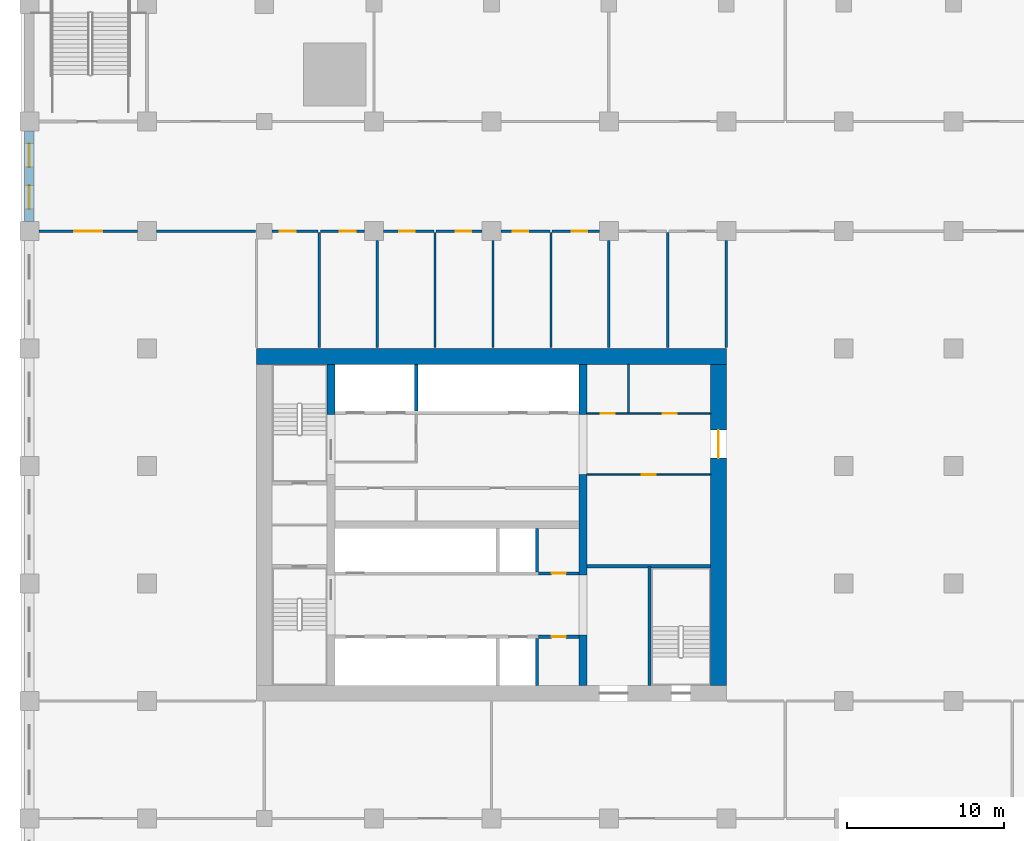
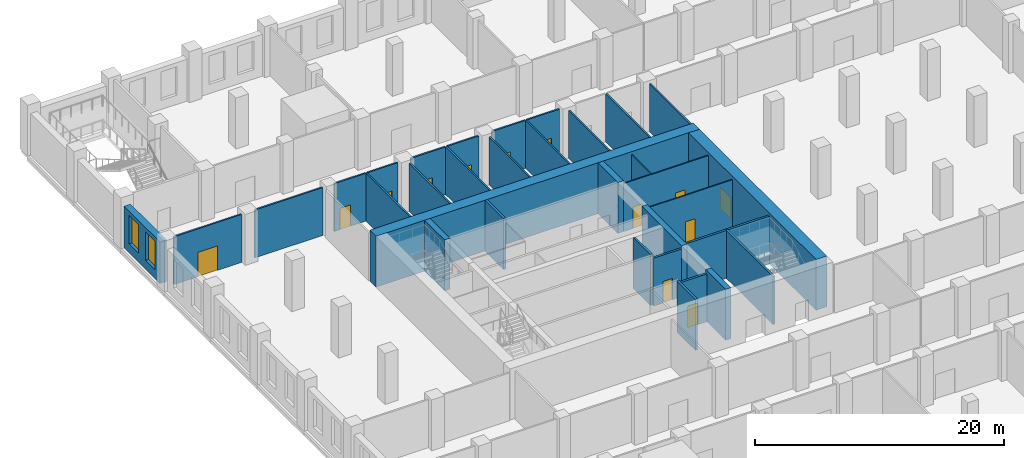
# One storey, part 6 of 32: 33 walls, 13 doors, 2 windows, 15 openings.
"""IFC4 building model written with IfcOpenShell, lengths in metres."""

from ifc_helpers import new_model, si_unit, direction, frame, frame_2d, origin, place, context, subcontext, project, spatial, rectangle, extrude, material, layer, layer_set, type_object, element, fill, save


model = new_model("IFC4")

# Units and contexts
model_context = context("Model", 3, precision=1e-05, world=origin(), true_north=direction((0.0, 1.0)))
body_context = subcontext(model_context, "Body", "Model", "MODEL_VIEW")
ifc_project = project(units=[si_unit("LENGTHUNIT", "METRE"), si_unit("AREAUNIT", "SQUARE_METRE"), si_unit("VOLUMEUNIT", "CUBIC_METRE"), si_unit("PLANEANGLEUNIT", "RADIAN"), si_unit("MASSUNIT", "GRAM", prefix="KILO")], contexts=[model_context])

# Site, building, storey
site_placement = place(None, origin())
site = spatial("IfcSite", under=ifc_project, at=site_placement, CompositionType="ELEMENT")
building_placement = place(site_placement, origin())
building = spatial("IfcBuilding", under=site, at=building_placement, Name="Tamorin Gate", CompositionType="ELEMENT")
storey_placement = place(building_placement, frame((0.0, 0.0, 13.5)))
storey = spatial("IfcBuildingStorey", under=building, at=storey_placement, Name="L02", CompositionType="ELEMENT", Elevation=13.5)

# Walls
ifc_material_1 = material(Name="Concrete C32/40", Category="concrete")
ifc_layer_1 = layer(ifc_material_1, 0.199951171875)
ifc_layer_set_1 = layer_set([ifc_layer_1], Name="Lift shaft wall 200 EI 120")
wall_type_1 = type_object("IfcWallType", Name="Lift shaft wall 200 EI 120", PredefinedType="SOLIDWALL", material=ifc_layer_set_1)
wall_1_placement = place(storey_placement, frame((47.89990234375, 61.0, 0.0), z_axis=(0.0, 0.0, 1.0), x_axis=(0.0, 1.0, 0.0)))
element("IfcWall", 1, at=wall_1_placement, inside=storey, type_object=wall_type_1, Name="Lift shaft wall", PredefinedType="SOLIDWALL", context=body_context, shape_type="SweptSolid", body=[
    extrude(rectangle(XDim=3.0, YDim=0.199951171875, at=frame_2d((1.5, 0.0))), origin(), (0.0, 0.0, 1.0), 5.0),
])
wall_2_placement = place(storey_placement, frame((47.89990234375, 68.25, 0.0), z_axis=(0.0, 0.0, 1.0), x_axis=(0.0, 1.0, 0.0)))
element("IfcWall", 2, at=wall_2_placement, inside=storey, type_object=wall_type_1, Name="Lift shaft wall", PredefinedType="SOLIDWALL", context=body_context, shape_type="SweptSolid", body=[
    extrude(rectangle(XDim=2.75, YDim=0.199951171875, at=frame_2d((1.375, 0.0))), origin(), (0.0, 0.0, 1.0), 5.0),
])
wall_3_placement = place(storey_placement, frame((40.199951171875, 78.5, 0.0), z_axis=(0.0, 0.0, 1.0), x_axis=(0.0, 1.0, 0.0)))
element("IfcWall", 3, at=wall_3_placement, inside=storey, type_object=wall_type_1, Name="Lift shaft wall", PredefinedType="SOLIDWALL", context=body_context, shape_type="SweptSolid", body=[
    extrude(rectangle(XDim=3.0, YDim=0.199951171875, at=frame_2d((1.5, 0.0))), origin(), (0.0, 0.0, 1.0), 5.0),
])

# Wall, opening, door
ifc_material_2 = material(Name="Concrete masonry C20/25", Category="masonry")
ifc_layer_2 = layer(ifc_material_2, 0.14990234375)
ifc_layer_set_2 = layer_set([ifc_layer_2], Name="Partition 150")
wall_type_2 = type_object("IfcWallType", Name="Partition 150", PredefinedType="PARTITIONING", material=ifc_layer_set_2)
wall_4_placement = place(storey_placement, frame((16.10009765625, 90.0, 0.0), z_axis=(0.0, 0.0, 1.0), x_axis=(1.0, 0.0, 0.0)))
wall_4 = element("IfcWall", 4, at=wall_4_placement, inside=storey, type_object=wall_type_2, Name="Partition 150 L02", PredefinedType="PARTITIONING", context=body_context, shape_type="SweptSolid", body=[
    extrude(rectangle(XDim=6.2998046875, YDim=0.14990234375, at=frame_2d((3.14990234375, 0.0))), origin(), (0.0, 0.0, 1.0), 4.699951171875),
])
opening_1_placement = place(wall_4_placement, frame((2.25, 0.0, 0.0)))
opening_1 = element("IfcOpeningElement", 5, at=opening_1_placement, cuts=wall_4, Name="Opening DP3", PredefinedType="OPENING", context=body_context, shape_type="SweptSolid", body=[
    extrude(rectangle(XDim=1.800048828125, YDim=2.39990234375, at=frame_2d((0.89990234375, 1.199951171875))), frame((0.0, 0.0849609375, 0.0), z_axis=(0.0, -1.0, 0.0), x_axis=(1.0, 0.0, 0.0)), (0.0, 0.0, 1.0), 0.169921875),
])
ifc_material_3 = material(Name="Steel and glass", Category="steel")
door_type_1 = type_object("IfcDoorType", Name="Door pair 1800", OperationType="DOUBLE_DOOR_SINGLE_SWING", PredefinedType="DOOR", material=ifc_material_3)
door_1_placement = place(opening_1_placement, origin())
door_1 = element("IfcDoor", 6, at=door_1_placement, inside=storey, type_object=door_type_1, Name="Door pair 1800 L02", OperationType="SINGLE_SWING_LEFT", OverallHeight=2.39990234375, OverallWidth=1.800048828125, PredefinedType="DOOR", context=body_context, shape_type="SweptSolid", body=[
    extrude(rectangle(XDim=1.800048828125, YDim=2.39990234375, at=frame_2d((0.89990234375, 1.199951171875))), frame((0.0, 0.02490234375, 0.0), z_axis=(0.0, -1.0, 0.0), x_axis=(1.0, 0.0, 0.0)), (0.0, 0.0, 1.0), 0.050048828125),
])
fill(opening_1, door_1)

# Wall
wall_5_placement = place(storey_placement, frame((23.60009765625, 90.0, 0.0), z_axis=(0.0, 0.0, 1.0), x_axis=(1.0, 0.0, 0.0)))
element("IfcWall", 7, at=wall_5_placement, inside=storey, type_object=wall_type_2, Name="Partition 150 L02", PredefinedType="PARTITIONING", context=body_context, shape_type="SweptSolid", body=[
    extrude(rectangle(XDim=6.324951171875, YDim=0.14990234375, at=frame_2d((3.16259765625, 0.0))), origin(), (0.0, 0.0, 1.0), 4.699951171875),
])

# Wall, opening, door
wall_6_placement = place(storey_placement, frame((31.0, 90.0, 0.0), z_axis=(0.0, 0.0, 1.0), x_axis=(1.0, 0.0, 0.0)))
wall_6 = element("IfcWall", 8, at=wall_6_placement, inside=storey, type_object=wall_type_2, Name="Partition 150 L02", PredefinedType="PARTITIONING", context=body_context, shape_type="SweptSolid", body=[
    extrude(rectangle(XDim=2.925048828125, YDim=0.14990234375, at=frame_2d((1.46240234375, 0.0))), origin(), (0.0, 0.0, 1.0), 4.699951171875),
])
opening_2_placement = place(wall_6_placement, frame((0.5, 0.0, 0.0)))
opening_2 = element("IfcOpeningElement", 9, at=opening_2_placement, cuts=wall_6, Name="Opening DP2", PredefinedType="OPENING", context=body_context, shape_type="SweptSolid", body=[
    extrude(rectangle(XDim=1.0, YDim=2.10009765625, at=frame_2d((0.5, 1.050048828125))), frame((0.0, 0.0849609375, 0.0), z_axis=(0.0, -1.0, 0.0), x_axis=(1.0, 0.0, 0.0)), (0.0, 0.0, 1.0), 0.169921875),
])
ifc_material_4 = material(Name="Painted steel", Category="steel")
door_type_2 = type_object("IfcDoorType", Name="Door single 1000", OperationType="SINGLE_SWING_LEFT", PredefinedType="DOOR", material=ifc_material_4)
door_2_placement = place(opening_2_placement, origin())
door_2 = element("IfcDoor", 10, at=door_2_placement, inside=storey, type_object=door_type_2, Name="Door single 1000 L02", OperationType="SINGLE_SWING_LEFT", OverallHeight=2.10009765625, OverallWidth=1.0, PredefinedType="DOOR", context=body_context, shape_type="SweptSolid", body=[
    extrude(rectangle(XDim=1.0, YDim=2.10009765625, at=frame_2d((0.5, 1.050048828125))), frame((0.0, 0.02490234375, 0.0), z_axis=(0.0, -1.0, 0.0), x_axis=(1.0, 0.0, 0.0)), (0.0, 0.0, 1.0), 0.050048828125),
])
fill(opening_2, door_2)

wall_7_placement = place(storey_placement, frame((34.074951171875, 90.0, 0.0), z_axis=(0.0, 0.0, 1.0), x_axis=(1.0, 0.0, 0.0)))
wall_7 = element("IfcWall", 11, at=wall_7_placement, inside=storey, type_object=wall_type_2, Name="Partition 150 L02", PredefinedType="PARTITIONING", context=body_context, shape_type="SweptSolid", body=[
    extrude(rectangle(XDim=2.824951171875, YDim=0.14990234375, at=frame_2d((1.41259765625, 0.0))), origin(), (0.0, 0.0, 1.0), 4.699951171875),
])
opening_3_placement = place(wall_7_placement, frame((1.25, 0.0, 0.0)))
opening_3 = element("IfcOpeningElement", 12, at=opening_3_placement, cuts=wall_7, Name="Opening DP2", PredefinedType="OPENING", context=body_context, shape_type="SweptSolid", body=[
    extrude(rectangle(XDim=1.0, YDim=2.10009765625, at=frame_2d((0.5, 1.050048828125))), frame((0.0, 0.0849609375, 0.0), z_axis=(0.0, -1.0, 0.0), x_axis=(1.0, 0.0, 0.0)), (0.0, 0.0, 1.0), 0.169921875),
])
door_3_placement = place(opening_3_placement, origin())
door_3 = element("IfcDoor", 13, at=door_3_placement, inside=storey, type_object=door_type_2, Name="Door single 1000 L02", OperationType="SINGLE_SWING_LEFT", OverallHeight=2.10009765625, OverallWidth=1.0, PredefinedType="DOOR", context=body_context, shape_type="SweptSolid", body=[
    extrude(rectangle(XDim=1.0, YDim=2.10009765625, at=frame_2d((0.5, 1.050048828125))), frame((0.0, 0.02490234375, 0.0), z_axis=(0.0, -1.0, 0.0), x_axis=(1.0, 0.0, 0.0)), (0.0, 0.0, 1.0), 0.050048828125),
])
fill(opening_3, door_3)

wall_8_placement = place(storey_placement, frame((38.10009765625, 90.0, 0.0), z_axis=(0.0, 0.0, 1.0), x_axis=(1.0, 0.0, 0.0)))
wall_8 = element("IfcWall", 14, at=wall_8_placement, inside=storey, type_object=wall_type_2, Name="Partition 150 L02", PredefinedType="PARTITIONING", context=body_context, shape_type="SweptSolid", body=[
    extrude(rectangle(XDim=3.224853515625, YDim=0.14990234375, at=frame_2d((1.6123046875, 0.0))), origin(), (0.0, 0.0, 1.0), 4.699951171875),
])
opening_4_placement = place(wall_8_placement, frame((1.0, 0.0, 0.0)))
opening_4 = element("IfcOpeningElement", 15, at=opening_4_placement, cuts=wall_8, Name="Opening DP2", PredefinedType="OPENING", context=body_context, shape_type="SweptSolid", body=[
    extrude(rectangle(XDim=1.0, YDim=2.10009765625, at=frame_2d((0.5, 1.050048828125))), frame((0.0, 0.0849609375, 0.0), z_axis=(0.0, -1.0, 0.0), x_axis=(1.0, 0.0, 0.0)), (0.0, 0.0, 1.0), 0.169921875),
])
door_4_placement = place(opening_4_placement, origin())
door_4 = element("IfcDoor", 16, at=door_4_placement, inside=storey, type_object=door_type_2, Name="Door single 1000 L02", OperationType="SINGLE_SWING_LEFT", OverallHeight=2.10009765625, OverallWidth=1.0, PredefinedType="DOOR", context=body_context, shape_type="SweptSolid", body=[
    extrude(rectangle(XDim=1.0, YDim=2.10009765625, at=frame_2d((0.5, 1.050048828125))), frame((0.0, 0.02490234375, 0.0), z_axis=(0.0, -1.0, 0.0), x_axis=(1.0, 0.0, 0.0)), (0.0, 0.0, 1.0), 0.050048828125),
])
fill(opening_4, door_4)

wall_9_placement = place(storey_placement, frame((41.47509765625, 90.0, 0.0), z_axis=(0.0, 0.0, 1.0), x_axis=(1.0, 0.0, 0.0)))
wall_9 = element("IfcWall", 17, at=wall_9_placement, inside=storey, type_object=wall_type_2, Name="Partition 150 L02", PredefinedType="PARTITIONING", context=body_context, shape_type="SweptSolid", body=[
    extrude(rectangle(XDim=2.9248046875, YDim=0.14990234375, at=frame_2d((1.46240234375, 0.0))), origin(), (0.0, 0.0, 1.0), 4.699951171875),
])
opening_5_placement = place(wall_9_placement, frame((1.25, 0.0, 0.0)))
opening_5 = element("IfcOpeningElement", 18, at=opening_5_placement, cuts=wall_9, Name="Opening DP2", PredefinedType="OPENING", context=body_context, shape_type="SweptSolid", body=[
    extrude(rectangle(XDim=1.0, YDim=2.10009765625, at=frame_2d((0.5, 1.050048828125))), frame((0.0, 0.0849609375, 0.0), z_axis=(0.0, -1.0, 0.0), x_axis=(1.0, 0.0, 0.0)), (0.0, 0.0, 1.0), 0.169921875),
])
door_5_placement = place(opening_5_placement, origin())
door_5 = element("IfcDoor", 19, at=door_5_placement, inside=storey, type_object=door_type_2, Name="Door single 1000 L02", OperationType="SINGLE_SWING_LEFT", OverallHeight=2.10009765625, OverallWidth=1.0, PredefinedType="DOOR", context=body_context, shape_type="SweptSolid", body=[
    extrude(rectangle(XDim=1.0, YDim=2.10009765625, at=frame_2d((0.5, 1.050048828125))), frame((0.0, 0.02490234375, 0.0), z_axis=(0.0, -1.0, 0.0), x_axis=(1.0, 0.0, 0.0)), (0.0, 0.0, 1.0), 0.050048828125),
])
fill(opening_5, door_5)

wall_10_placement = place(storey_placement, frame((45.60009765625, 90.0, 0.0), z_axis=(0.0, 0.0, 1.0), x_axis=(1.0, 0.0, 0.0)))
wall_10 = element("IfcWall", 20, at=wall_10_placement, inside=storey, type_object=wall_type_2, Name="Partition 150 L02", PredefinedType="PARTITIONING", context=body_context, shape_type="SweptSolid", body=[
    extrude(rectangle(XDim=3.125, YDim=0.14990234375, at=frame_2d((1.5625, 0.0))), origin(), (0.0, 0.0, 1.0), 4.699951171875),
])
opening_6_placement = place(wall_10_placement, frame((0.75, 0.0, 0.0)))
opening_6 = element("IfcOpeningElement", 21, at=opening_6_placement, cuts=wall_10, Name="Opening DP2", PredefinedType="OPENING", context=body_context, shape_type="SweptSolid", body=[
    extrude(rectangle(XDim=1.0, YDim=2.10009765625, at=frame_2d((0.5, 1.050048828125))), frame((0.0, 0.0849609375, 0.0), z_axis=(0.0, -1.0, 0.0), x_axis=(1.0, 0.0, 0.0)), (0.0, 0.0, 1.0), 0.169921875),
])
door_6_placement = place(opening_6_placement, origin())
door_6 = element("IfcDoor", 22, at=door_6_placement, inside=storey, type_object=door_type_2, Name="Door single 1000 L02", OperationType="SINGLE_SWING_LEFT", OverallHeight=2.10009765625, OverallWidth=1.0, PredefinedType="DOOR", context=body_context, shape_type="SweptSolid", body=[
    extrude(rectangle(XDim=1.0, YDim=2.10009765625, at=frame_2d((0.5, 1.050048828125))), frame((0.0, 0.02490234375, 0.0), z_axis=(0.0, -1.0, 0.0), x_axis=(1.0, 0.0, 0.0)), (0.0, 0.0, 1.0), 0.050048828125),
])
fill(opening_6, door_6)

wall_11_placement = place(storey_placement, frame((48.875, 90.0, 0.0), z_axis=(0.0, 0.0, 1.0), x_axis=(1.0, 0.0, 0.0)))
wall_11 = element("IfcWall", 23, at=wall_11_placement, inside=storey, type_object=wall_type_2, Name="Partition 150 L02", PredefinedType="PARTITIONING", context=body_context, shape_type="SweptSolid", body=[
    extrude(rectangle(XDim=3.02490234375, YDim=0.14990234375, at=frame_2d((1.512451171875, 0.0))), origin(), (0.0, 0.0, 1.0), 4.699951171875),
])
opening_7_placement = place(wall_11_placement, frame((1.25, 0.0, 0.0)))
opening_7 = element("IfcOpeningElement", 24, at=opening_7_placement, cuts=wall_11, Name="Opening DP2", PredefinedType="OPENING", context=body_context, shape_type="SweptSolid", body=[
    extrude(rectangle(XDim=1.0, YDim=2.10009765625, at=frame_2d((0.5, 1.050048828125))), frame((0.0, 0.0849609375, 0.0), z_axis=(0.0, -1.0, 0.0), x_axis=(1.0, 0.0, 0.0)), (0.0, 0.0, 1.0), 0.169921875),
])
door_7_placement = place(opening_7_placement, origin())
door_7 = element("IfcDoor", 25, at=door_7_placement, inside=storey, type_object=door_type_2, Name="Door single 1000 L02", OperationType="SINGLE_SWING_LEFT", OverallHeight=2.10009765625, OverallWidth=1.0, PredefinedType="DOOR", context=body_context, shape_type="SweptSolid", body=[
    extrude(rectangle(XDim=1.0, YDim=2.10009765625, at=frame_2d((0.5, 1.050048828125))), frame((0.0, 0.02490234375, 0.0), z_axis=(0.0, -1.0, 0.0), x_axis=(1.0, 0.0, 0.0)), (0.0, 0.0, 1.0), 0.050048828125),
])
fill(opening_7, door_7)

# Walls
for number, where, z_axis, x_axis, name in (
    (26, (34.0, 82.574951171875, 0.0), (0.0, 0.0, 1.0), (0.0, 1.0, 0.0), "Partition 150 L02"),
    (27, (56.25, 82.574951171875, 0.0), (0.0, 0.0, 1.0), (0.0, 1.0, 0.0), "Partition 150 L02"),
):
    element("IfcWall", number, at=place(storey_placement, frame(where, z_axis=z_axis, x_axis=x_axis)), inside=storey, type_object=wall_type_2, Name=name, PredefinedType="PARTITIONING", context=body_context, shape_type="SweptSolid", body=[
        extrude(rectangle(XDim=7.35009765625, YDim=0.14990234375, at=frame_2d((3.675048828125, 0.0))), origin(), (0.0, 0.0, 1.0), 4.699951171875),
    ])
for number, where, z_axis, x_axis, name in (
    (28, (52.5, 82.574951171875, 0.0), (0.0, 0.0, 1.0), (0.0, 1.0, 0.0), "Partition 150 L02"),
    (29, (37.699951171875, 82.574951171875, 0.0), (0.0, 0.0, 1.0), (0.0, 1.0, 0.0), "Partition 150 L02"),
):
    element("IfcWall", number, at=place(storey_placement, frame(where, z_axis=z_axis, x_axis=x_axis)), inside=storey, type_object=wall_type_2, Name=name, PredefinedType="PARTITIONING", context=body_context, shape_type="SweptSolid", body=[
        extrude(rectangle(XDim=6.824951171875, YDim=0.14990234375, at=frame_2d((3.41259765625, 0.0))), origin(), (0.0, 0.0, 1.0), 4.699951171875),
    ])
wall_12_placement = place(storey_placement, frame((41.39990234375, 82.574951171875, 0.0), z_axis=(0.0, 0.0, 1.0), x_axis=(0.0, 1.0, 0.0)))
element("IfcWall", 30, at=wall_12_placement, inside=storey, type_object=wall_type_2, Name="Partition 150 L02", PredefinedType="PARTITIONING", context=body_context, shape_type="SweptSolid", body=[
    extrude(rectangle(XDim=7.35009765625, YDim=0.14990234375, at=frame_2d((3.675048828125, 0.0))), origin(), (0.0, 0.0, 1.0), 4.699951171875),
])
wall_13_placement = place(storey_placement, frame((45.10009765625, 82.574951171875, 0.0), z_axis=(0.0, 0.0, 1.0), x_axis=(0.0, 1.0, 0.0)))
element("IfcWall", 31, at=wall_13_placement, inside=storey, type_object=wall_type_2, Name="Partition 150 L02", PredefinedType="PARTITIONING", context=body_context, shape_type="SweptSolid", body=[
    extrude(rectangle(XDim=6.824951171875, YDim=0.14990234375, at=frame_2d((3.41259765625, 0.0))), origin(), (0.0, 0.0, 1.0), 4.699951171875),
])
wall_14_placement = place(storey_placement, frame((48.800048828125, 82.574951171875, 0.0), z_axis=(0.0, 0.0, 1.0), x_axis=(0.0, 1.0, 0.0)))
element("IfcWall", 32, at=wall_14_placement, inside=storey, type_object=wall_type_2, Name="Partition 150 L02", PredefinedType="PARTITIONING", context=body_context, shape_type="SweptSolid", body=[
    extrude(rectangle(XDim=7.35009765625, YDim=0.14990234375, at=frame_2d((3.675048828125, 0.0))), origin(), (0.0, 0.0, 1.0), 4.699951171875),
])
wall_15_placement = place(storey_placement, frame((60.0, 82.574951171875, 0.0), z_axis=(0.0, 0.0, 1.0), x_axis=(0.0, 1.0, 0.0)))
element("IfcWall", 33, at=wall_15_placement, inside=storey, type_object=wall_type_2, Name="Partition 150 L02", PredefinedType="PARTITIONING", context=body_context, shape_type="SweptSolid", body=[
    extrude(rectangle(XDim=6.824951171875, YDim=0.14990234375, at=frame_2d((3.41259765625, 0.0))), origin(), (0.0, 0.0, 1.0), 4.699951171875),
])

# Wall, openings, windows
ifc_material_5 = material(Name="Precast concrete C40/50", Category="concrete")
ifc_layer_3 = layer(ifc_material_5, 0.60009765625)
ifc_layer_set_3 = layer_set([ifc_layer_3], Name="Precast concrete C40/50")
wall_type_3 = type_object("IfcWallType", Name="Precast plinth wall 600", PredefinedType="PARTITIONING", material=ifc_layer_set_3)
wall_16_placement = place(storey_placement, frame((15.5, 90.60009765625, 0.0), z_axis=(0.0, 0.0, 1.0), x_axis=(0.0, 1.0, 0.0)))
wall_16 = element("IfcWall", 34, at=wall_16_placement, inside=storey, type_object=wall_type_3, Name="Precast plinth wall 600 L02", PredefinedType="PARTITIONING", context=body_context, shape_type="SweptSolid", body=[
    extrude(rectangle(XDim=5.7998046875, YDim=0.60009765625, at=frame_2d((2.89990234375, 0.0))), origin(), (0.0, 0.0, 1.0), 4.10009765625),
])
opening_8_placement = place(wall_16_placement, frame((0.81591796875, 0.0, 0.89990234375)))
opening_8 = element("IfcOpeningElement", 35, at=opening_8_placement, cuts=wall_16, Name="Opening PWN5", PredefinedType="OPENING", context=body_context, shape_type="SweptSolid", body=[
    extrude(rectangle(XDim=1.5, YDim=2.800048828125, at=frame_2d((0.75, 1.39990234375))), frame((0.0, 0.31005859375, 0.0), z_axis=(0.0, -1.0, 0.0), x_axis=(1.0, 0.0, 0.0)), (0.0, 0.0, 1.0), 0.6201171875),
])
opening_9_placement = place(wall_16_placement, frame((3.48388671875, 0.0, 0.89990234375)))
opening_9 = element("IfcOpeningElement", 36, at=opening_9_placement, cuts=wall_16, Name="Opening PWN5", PredefinedType="OPENING", context=body_context, shape_type="SweptSolid", body=[
    extrude(rectangle(XDim=1.5, YDim=2.800048828125, at=frame_2d((0.75, 1.39990234375))), frame((0.0, 0.31005859375, 0.0), z_axis=(0.0, -1.0, 0.0), x_axis=(1.0, 0.0, 0.0)), (0.0, 0.0, 1.0), 0.6201171875),
])
ifc_material_6 = material(Name="Aluminium and glass", Category="aluminium")
window_type = type_object("IfcWindowType", Name="Plinth window 1500x2800", PartitioningType="DOUBLE_PANEL_VERTICAL", PredefinedType="WINDOW", material=ifc_material_6)
window_1_placement = place(opening_8_placement, origin())
window_1 = element("IfcWindow", 37, at=window_1_placement, inside=storey, type_object=window_type, Name="Plinth window 1500x2800", OverallHeight=2.800048828125, OverallWidth=1.5, PartitioningType="SINGLE_PANEL", PredefinedType="WINDOW", context=body_context, shape_type="SweptSolid", body=[
    extrude(rectangle(XDim=1.5, YDim=2.800048828125, at=frame_2d((0.75, 1.39990234375))), frame((0.0, 0.030029296875, 0.0), z_axis=(0.0, -1.0, 0.0), x_axis=(1.0, 0.0, 0.0)), (0.0, 0.0, 1.0), 0.06005859375),
])
fill(opening_8, window_1)
window_2_placement = place(opening_9_placement, origin())
window_2 = element("IfcWindow", 38, at=window_2_placement, inside=storey, type_object=window_type, Name="Plinth window 1500x2800", OverallHeight=2.800048828125, OverallWidth=1.5, PartitioningType="SINGLE_PANEL", PredefinedType="WINDOW", context=body_context, shape_type="SweptSolid", body=[
    extrude(rectangle(XDim=1.5, YDim=2.800048828125, at=frame_2d((0.75, 1.39990234375))), frame((0.0, 0.030029296875, 0.0), z_axis=(0.0, -1.0, 0.0), x_axis=(1.0, 0.0, 0.0)), (0.0, 0.0, 1.0), 0.06005859375),
])
fill(opening_9, window_2)

# Walls
ifc_material_7 = material(Name="Concrete C80/95", Category="concrete")
ifc_layer_4 = layer(ifc_material_7, 0.5)
ifc_layer_set_4 = layer_set([ifc_layer_4], Name="RC core internal wall 500 C80/95")
wall_type_4 = type_object("IfcWallType", Name="RC core internal wall 500 C80/95", PredefinedType="SHEAR", material=ifc_layer_set_4)
for number, where, z_axis, x_axis, name in (
    (39, (34.75, 78.300048828125, 0.0), (0.0, 0.0, 1.0), (0.0, 1.0, 0.0), "Core cross wall L02"),
    (40, (50.85009765625, 61.0, 0.0), (0.0, 0.0, 1.0), (0.0, 1.0, 0.0), "Core cross wall L02"),
):
    element("IfcWall", number, at=place(storey_placement, frame(where, z_axis=z_axis, x_axis=x_axis)), inside=storey, type_object=wall_type_4, Name=name, PredefinedType="SHEAR", context=body_context, shape_type="SweptSolid", body=[
        extrude(rectangle(XDim=3.199951171875, YDim=0.5, at=frame_2d((1.60009765625, 0.0))), origin(), (0.0, 0.0, 1.0), 5.0),
    ])
wall_17_placement = place(storey_placement, frame((50.85009765625, 68.050048828125, 0.0), z_axis=(0.0, 0.0, 1.0), x_axis=(0.0, 1.0, 0.0)))
element("IfcWall", 41, at=wall_17_placement, inside=storey, type_object=wall_type_4, Name="Core cross wall L02", PredefinedType="SHEAR", context=body_context, shape_type="SweptSolid", body=[
    extrude(rectangle(XDim=6.39990234375, YDim=0.5, at=frame_2d((3.199951171875, 0.0))), origin(), (0.0, 0.0, 1.0), 5.0),
])
wall_18_placement = place(storey_placement, frame((50.85009765625, 78.300048828125, 0.0), z_axis=(0.0, 0.0, 1.0), x_axis=(0.0, 1.0, 0.0)))
element("IfcWall", 42, at=wall_18_placement, inside=storey, type_object=wall_type_4, Name="Core cross wall L02", PredefinedType="SHEAR", context=body_context, shape_type="SweptSolid", body=[
    extrude(rectangle(XDim=3.199951171875, YDim=0.5, at=frame_2d((1.60009765625, 0.0))), origin(), (0.0, 0.0, 1.0), 5.0),
])
ifc_layer_5 = layer(ifc_material_7, 1.0)
ifc_layer_set_5 = layer_set([ifc_layer_5], Name="RC core wall 1000 C80/95")
wall_type_5 = type_object("IfcWallType", Name="RC core wall 1000 C80/95", PredefinedType="SHEAR", material=ifc_layer_set_5)
wall_19_placement = place(storey_placement, frame((30.0, 82.0, 0.0), z_axis=(0.0, 0.0, 1.0), x_axis=(1.0, 0.0, 0.0)))
element("IfcWall", 43, at=wall_19_placement, inside=storey, type_object=wall_type_5, Name="Core wall L02", PredefinedType="SHEAR", context=body_context, shape_type="SweptSolid", body=[
    extrude(rectangle(XDim=30.0, YDim=1.0, at=frame_2d((15.0, 0.0))), origin(), (0.0, 0.0, 1.0), 5.0),
])

# Wall, opening, door
wall_20_placement = place(storey_placement, frame((59.5, 61.0, 0.0), z_axis=(0.0, 0.0, 1.0), x_axis=(0.0, 1.0, 0.0)))
wall_20 = element("IfcWall", 44, at=wall_20_placement, inside=storey, type_object=wall_type_5, Name="Core wall L02", PredefinedType="SHEAR", context=body_context, shape_type="SweptSolid", body=[
    extrude(rectangle(XDim=20.5, YDim=1.0, at=frame_2d((10.25, 0.0))), origin(), (0.0, 0.0, 1.0), 5.0),
])
opening_10_placement = place(wall_20_placement, frame((14.5, 0.0, 0.0)))
opening_10 = element("IfcOpeningElement", 45, at=opening_10_placement, cuts=wall_20, Name="Opening DE1", PredefinedType="OPENING", context=body_context, shape_type="SweptSolid", body=[
    extrude(rectangle(XDim=1.800048828125, YDim=2.10009765625, at=frame_2d((0.89990234375, 1.050048828125))), frame((0.0, 0.510009765625, 0.0), z_axis=(0.0, -1.0, 0.0), x_axis=(1.0, 0.0, 0.0)), (0.0, 0.0, 1.0), 1.02001953125),
])
ifc_material_8 = material(Name="Steel fire door", Category="steel")
door_type_3 = type_object("IfcDoorType", Name="Lobby exit double door 1800 x 2100 EI 60", OperationType="DOUBLE_DOOR_SINGLE_SWING", PredefinedType="DOOR", material=ifc_material_8)
door_8_placement = place(opening_10_placement, origin())
door_8 = element("IfcDoor", 46, at=door_8_placement, inside=storey, type_object=door_type_3, Name="Lift lobby B exit door", OperationType="DOUBLE_DOOR_SINGLE_SWING", OverallHeight=2.10009765625, OverallWidth=1.800048828125, PredefinedType="DOOR", context=body_context, shape_type="SweptSolid", body=[
    extrude(rectangle(XDim=1.800048828125, YDim=2.10009765625, at=frame_2d((0.89990234375, 1.050048828125))), frame((0.0, 0.02490234375, 0.0), z_axis=(0.0, -1.0, 0.0), x_axis=(1.0, 0.0, 0.0)), (0.0, 0.0, 1.0), 0.050048828125),
])
fill(opening_10, door_8)

ifc_material_9 = material(Name="Gypsum board partition")
ifc_layer_6 = layer(ifc_material_9, 0.199951171875)
ifc_layer_set_6 = layer_set([ifc_layer_6], Name="Service room face wall 200 EI 60")
wall_type_6 = type_object("IfcWallType", Name="Service room face wall 200 EI 60", PredefinedType="PARTITIONING", material=ifc_layer_set_6)
wall_21_placement = place(storey_placement, frame((48.0, 64.10009765625, 0.0), z_axis=(0.0, 0.0, 1.0), x_axis=(1.0, 0.0, 0.0)))
wall_21 = element("IfcWall", 47, at=wall_21_placement, inside=storey, type_object=wall_type_6, Name="Service room face wall", PredefinedType="PARTITIONING", context=body_context, shape_type="SweptSolid", body=[
    extrude(rectangle(XDim=2.60009765625, YDim=0.199951171875, at=frame_2d((1.300048828125, 0.0))), origin(), (0.0, 0.0, 1.0), 4.699951171875),
])
opening_11_placement = place(wall_21_placement, frame((0.85009765625, 0.0, 0.0)))
opening_11 = element("IfcOpeningElement", 48, at=opening_11_placement, cuts=wall_21, Name="Opening DK1", PredefinedType="OPENING", context=body_context, shape_type="SweptSolid", body=[
    extrude(rectangle(XDim=0.89990234375, YDim=2.10009765625, at=frame_2d((0.449951171875, 1.050048828125))), frame((0.0, 0.10986328125, 0.0), z_axis=(0.0, -1.0, 0.0), x_axis=(1.0, 0.0, 0.0)), (0.0, 0.0, 1.0), 0.219970703125),
])
ifc_material_10 = material(Name="Timber fire door", Category="wood")
door_type_4 = type_object("IfcDoorType", Name="Service room door 900 x 2100 EI 60", OperationType="SINGLE_SWING_LEFT", PredefinedType="DOOR", material=ifc_material_10)
door_9_placement = place(opening_11_placement, origin())
door_9 = element("IfcDoor", 49, at=door_9_placement, inside=storey, type_object=door_type_4, Name="Door Maintenance store", OperationType="SINGLE_SWING_RIGHT", OverallHeight=2.10009765625, OverallWidth=0.89990234375, PredefinedType="DOOR", context=body_context, shape_type="SweptSolid", body=[
    extrude(rectangle(XDim=0.89990234375, YDim=2.10009765625, at=frame_2d((0.449951171875, 1.050048828125))), frame((0.0, 0.02490234375, 0.0), z_axis=(0.0, -1.0, 0.0), x_axis=(1.0, 0.0, 0.0)), (0.0, 0.0, 1.0), 0.050048828125),
])
fill(opening_11, door_9)

wall_22_placement = place(storey_placement, frame((48.0, 68.14990234375, 0.0), z_axis=(0.0, 0.0, 1.0), x_axis=(1.0, 0.0, 0.0)))
wall_22 = element("IfcWall", 50, at=wall_22_placement, inside=storey, type_object=wall_type_6, Name="Service room face wall", PredefinedType="PARTITIONING", context=body_context, shape_type="SweptSolid", body=[
    extrude(rectangle(XDim=2.60009765625, YDim=0.199951171875, at=frame_2d((1.300048828125, 0.0))), origin(), (0.0, 0.0, 1.0), 4.699951171875),
])
opening_12_placement = place(wall_22_placement, frame((0.85009765625, 0.0, 0.0)))
opening_12 = element("IfcOpeningElement", 51, at=opening_12_placement, cuts=wall_22, Name="Opening DK1", PredefinedType="OPENING", context=body_context, shape_type="SweptSolid", body=[
    extrude(rectangle(XDim=0.89990234375, YDim=2.10009765625, at=frame_2d((0.449951171875, 1.050048828125))), frame((0.0, 0.10986328125, 0.0), z_axis=(0.0, -1.0, 0.0), x_axis=(1.0, 0.0, 0.0)), (0.0, 0.0, 1.0), 0.219970703125),
])
door_10_placement = place(opening_12_placement, origin())
door_10 = element("IfcDoor", 52, at=door_10_placement, inside=storey, type_object=door_type_4, Name="Door Security store", OperationType="SINGLE_SWING_RIGHT", OverallHeight=2.10009765625, OverallWidth=0.89990234375, PredefinedType="DOOR", context=body_context, shape_type="SweptSolid", body=[
    extrude(rectangle(XDim=0.89990234375, YDim=2.10009765625, at=frame_2d((0.449951171875, 1.050048828125))), frame((0.0, 0.02490234375, 0.0), z_axis=(0.0, -1.0, 0.0), x_axis=(1.0, 0.0, 0.0)), (0.0, 0.0, 1.0), 0.050048828125),
])
fill(opening_12, door_10)

ifc_layer_7 = layer(ifc_material_9, 0.10009765625)
ifc_layer_set_7 = layer_set([ifc_layer_7], Name="Service room partition 100 EI 60")
wall_type_7 = type_object("IfcWallType", Name="Service room partition 100 EI 60", PredefinedType="PARTITIONING", material=ifc_layer_set_7)
wall_23_placement = place(storey_placement, frame((51.10009765625, 74.449951171875, 0.0), z_axis=(0.0, 0.0, 1.0), x_axis=(1.0, 0.0, 0.0)))
wall_23 = element("IfcWall", 53, at=wall_23_placement, inside=storey, type_object=wall_type_7, Name="Service room wall", PredefinedType="PARTITIONING", context=body_context, shape_type="SweptSolid", body=[
    extrude(rectangle(XDim=7.89990234375, YDim=0.10009765625, at=frame_2d((3.949951171875, 0.0))), origin(), (0.0, 0.0, 1.0), 4.699951171875),
])
opening_13_placement = place(wall_23_placement, frame((3.5, 0.0, 0.0)))
opening_13 = element("IfcOpeningElement", 54, at=opening_13_placement, cuts=wall_23, Name="Opening DR1", PredefinedType="OPENING", context=body_context, shape_type="SweptSolid", body=[
    extrude(rectangle(XDim=0.89990234375, YDim=2.10009765625, at=frame_2d((0.449951171875, 1.050048828125))), frame((0.0, 0.06005859375, 0.0), z_axis=(0.0, -1.0, 0.0), x_axis=(1.0, 0.0, 0.0)), (0.0, 0.0, 1.0), 0.1201171875),
])
door_type_5 = type_object("IfcDoorType", Name="Riser access door 900 x 2100 EI 120", OperationType="SINGLE_SWING_LEFT", PredefinedType="DOOR", material=ifc_material_8)
door_11_placement = place(opening_13_placement, origin())
door_11 = element("IfcDoor", 55, at=door_11_placement, inside=storey, type_object=door_type_5, Name="Duct riser door", OperationType="SINGLE_SWING_RIGHT", OverallHeight=2.10009765625, OverallWidth=0.89990234375, PredefinedType="DOOR", context=body_context, shape_type="SweptSolid", body=[
    extrude(rectangle(XDim=0.89990234375, YDim=2.10009765625, at=frame_2d((0.449951171875, 1.050048828125))), frame((0.0, 0.02490234375, 0.0), z_axis=(0.0, -1.0, 0.0), x_axis=(1.0, 0.0, 0.0)), (0.0, 0.0, 1.0), 0.050048828125),
])
fill(opening_13, door_11)

# Wall, openings, doors
wall_24_placement = place(storey_placement, frame((51.10009765625, 78.35009765625, 0.0), z_axis=(0.0, 0.0, 1.0), x_axis=(1.0, 0.0, 0.0)))
wall_24 = element("IfcWall", 56, at=wall_24_placement, inside=storey, type_object=wall_type_7, Name="Service room wall", PredefinedType="PARTITIONING", context=body_context, shape_type="SweptSolid", body=[
    extrude(rectangle(XDim=7.89990234375, YDim=0.10009765625, at=frame_2d((3.949951171875, 0.0))), origin(), (0.0, 0.0, 1.0), 4.699951171875),
])
opening_14_placement = place(wall_24_placement, frame((0.875, 0.0, 0.0)))
opening_14 = element("IfcOpeningElement", 57, at=opening_14_placement, cuts=wall_24, Name="Opening DK1", PredefinedType="OPENING", context=body_context, shape_type="SweptSolid", body=[
    extrude(rectangle(XDim=0.89990234375, YDim=2.10009765625, at=frame_2d((0.449951171875, 1.050048828125))), frame((0.0, 0.06005859375, 0.0), z_axis=(0.0, -1.0, 0.0), x_axis=(1.0, 0.0, 0.0)), (0.0, 0.0, 1.0), 0.1201171875),
])
opening_15_placement = place(wall_24_placement, frame((4.824951171875, 0.0, 0.0)))
opening_15 = element("IfcOpeningElement", 58, at=opening_15_placement, cuts=wall_24, Name="Opening DK1", PredefinedType="OPENING", context=body_context, shape_type="SweptSolid", body=[
    extrude(rectangle(XDim=0.89990234375, YDim=2.10009765625, at=frame_2d((0.449951171875, 1.050048828125))), frame((0.0, 0.06005859375, 0.0), z_axis=(0.0, -1.0, 0.0), x_axis=(1.0, 0.0, 0.0)), (0.0, 0.0, 1.0), 0.1201171875),
])
door_12_placement = place(opening_14_placement, origin())
door_12 = element("IfcDoor", 59, at=door_12_placement, inside=storey, type_object=door_type_4, Name="Door Cleaner's store", OperationType="SINGLE_SWING_RIGHT", OverallHeight=2.10009765625, OverallWidth=0.89990234375, PredefinedType="DOOR", context=body_context, shape_type="SweptSolid", body=[
    extrude(rectangle(XDim=0.89990234375, YDim=2.10009765625, at=frame_2d((0.449951171875, 1.050048828125))), frame((0.0, 0.02490234375, 0.0), z_axis=(0.0, -1.0, 0.0), x_axis=(1.0, 0.0, 0.0)), (0.0, 0.0, 1.0), 0.050048828125),
])
fill(opening_14, door_12)
door_13_placement = place(opening_15_placement, origin())
door_13 = element("IfcDoor", 60, at=door_13_placement, inside=storey, type_object=door_type_4, Name="Door Maintenance store", OperationType="SINGLE_SWING_LEFT", OverallHeight=2.10009765625, OverallWidth=0.89990234375, PredefinedType="DOOR", context=body_context, shape_type="SweptSolid", body=[
    extrude(rectangle(XDim=0.89990234375, YDim=2.10009765625, at=frame_2d((0.449951171875, 1.050048828125))), frame((0.0, 0.02490234375, 0.0), z_axis=(0.0, -1.0, 0.0), x_axis=(1.0, 0.0, 0.0)), (0.0, 0.0, 1.0), 0.050048828125),
])
fill(opening_15, door_13)

# Walls
wall_25_placement = place(storey_placement, frame((53.75, 78.39990234375, 0.0), z_axis=(0.0, 0.0, 1.0), x_axis=(0.0, 1.0, 0.0)))
element("IfcWall", 61, at=wall_25_placement, inside=storey, type_object=wall_type_7, Name="Service room partition", PredefinedType="PARTITIONING", context=body_context, shape_type="SweptSolid", body=[
    extrude(rectangle(XDim=3.10009765625, YDim=0.10009765625, at=frame_2d((1.550048828125, 0.0))), origin(), (0.0, 0.0, 1.0), 4.699951171875),
])
ifc_material_11 = material(Name="Concrete C40/50", Category="concrete")
ifc_layer_8 = layer(ifc_material_11, 0.199951171875)
ifc_layer_set_8 = layer_set([ifc_layer_8], Name="Stair enclosure wall 200 EI 120 C40/50")
wall_type_8 = type_object("IfcWallType", Name="Stair enclosure wall 200 EI 120 C40/50", PredefinedType="SOLIDWALL", material=ifc_layer_set_8)
wall_26_placement = place(storey_placement, frame((55.10009765625, 61.0, 0.0), z_axis=(0.0, 0.0, 1.0), x_axis=(0.0, 1.0, 0.0)))
element("IfcWall", 62, at=wall_26_placement, inside=storey, type_object=wall_type_8, Name="Stair enclosure wall", PredefinedType="SOLIDWALL", context=body_context, shape_type="SweptSolid", body=[
    extrude(rectangle(XDim=7.60009765625, YDim=0.199951171875, at=frame_2d((3.800048828125, 0.0))), origin(), (0.0, 0.0, 1.0), 4.699951171875),
])
wall_27_placement = place(storey_placement, frame((51.10009765625, 68.60009765625, 0.0), z_axis=(0.0, 0.0, 1.0), x_axis=(1.0, 0.0, 0.0)))
element("IfcWall", 63, at=wall_27_placement, inside=storey, type_object=wall_type_8, Name="Stair enclosure wall", PredefinedType="SOLIDWALL", context=body_context, shape_type="SweptSolid", body=[
    extrude(rectangle(XDim=7.89990234375, YDim=0.199951171875, at=frame_2d((3.949951171875, 0.0))), origin(), (0.0, 0.0, 1.0), 4.699951171875),
])

save(model, "model.ifc")
